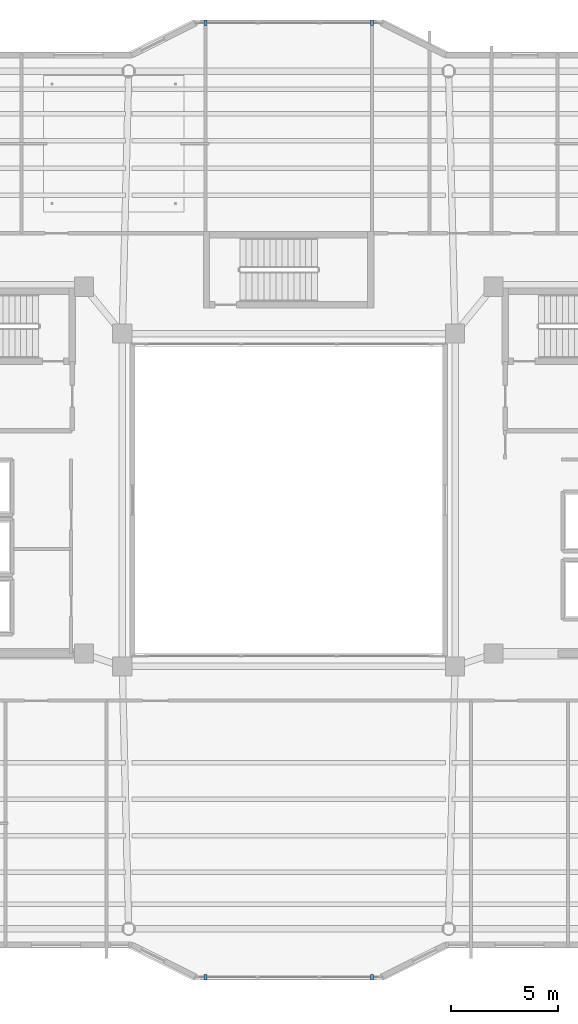
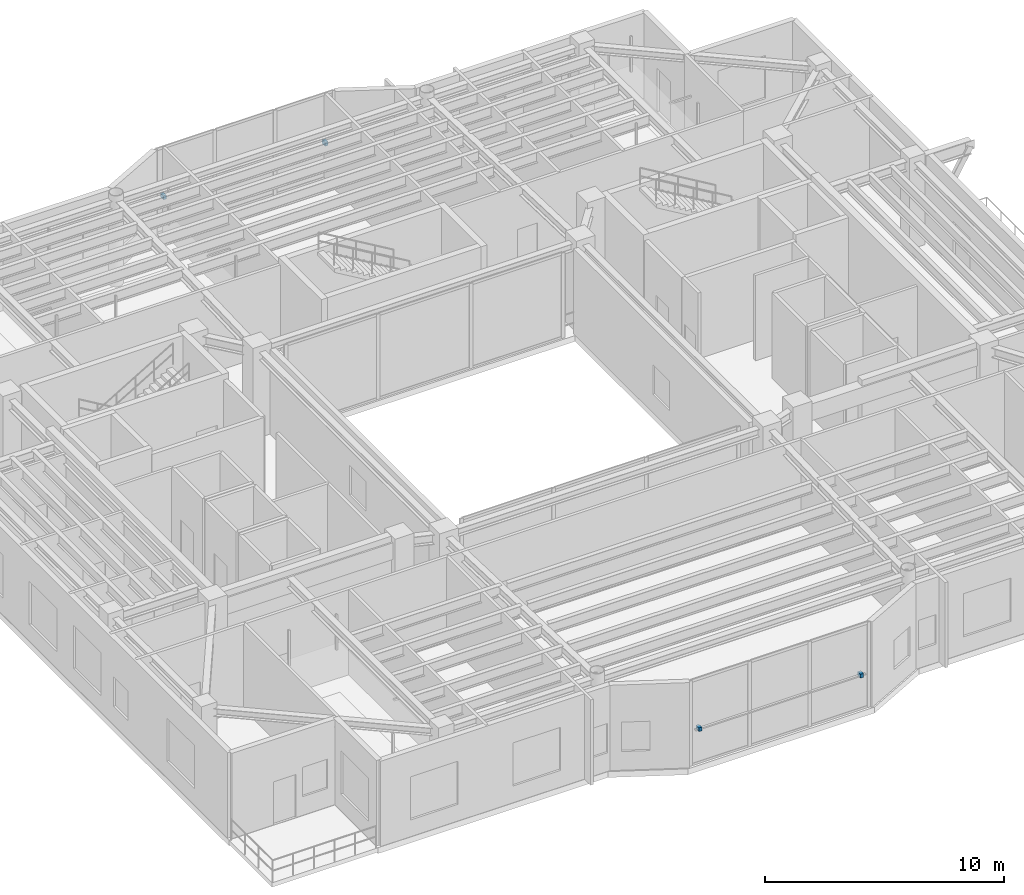
# One storey, part 19 of 23: 4 discrete accessories.
"""IFC4 building model written with IfcOpenShell, lengths in metres."""

from ifc_helpers import new_model, si_unit, direction, frame, origin, origin_2d, place, context, subcontext, project, spatial, rectangle, extrude, material, type_object, element, save


model = new_model("IFC4")

# Units and contexts
model_context = context("Model", 3, precision=1e-05, world=origin(), true_north=direction((0.0, 1.0)))
body_context = subcontext(model_context, "Body", "Model", "MODEL_VIEW")
ifc_project = project(units=[si_unit("LENGTHUNIT", "METRE"), si_unit("AREAUNIT", "SQUARE_METRE"), si_unit("VOLUMEUNIT", "CUBIC_METRE"), si_unit("PLANEANGLEUNIT", "RADIAN"), si_unit("MASSUNIT", "GRAM", prefix="KILO")], contexts=[model_context])

# Site, building, storey
site_placement = place(None, origin())
site = spatial("IfcSite", under=ifc_project, at=site_placement, CompositionType="ELEMENT")
building_placement = place(site_placement, origin())
building = spatial("IfcBuilding", under=site, at=building_placement, Name="Tarnavaz Court Tower", CompositionType="ELEMENT")
storey_placement = place(building_placement, frame((0.0, 0.0, 227.10009765625)))
storey = spatial("IfcBuildingStorey", under=building, at=storey_placement, Name="L62", CompositionType="ELEMENT", Elevation=227.10009765625)

# Discrete accessories
ifc_material = material(Name="Anodised Aluminium 6063-T6", Category="aluminium")
discrete_accessory_type = type_object("IfcDiscreteAccessoryType", Name="DA-BRKT-ALU", PredefinedType="BRACKET", material=ifc_material)
for number, where, z_axis, x_axis, name in (
    (1, (-3.89990234375, 22.3701171875, 1.69970703125), (0.0, 0.0, 1.0), (1.0, 0.0, 0.0), "L62 Baguette Outrigger Bracket PBG7-1"),
    (2, (3.89990234375, 22.3701171875, 1.69970703125), (0.0, 0.0, 1.0), (1.0, 0.0, 0.0), "L62 Baguette Outrigger Bracket PBG7-2"),
    (3, (3.89990234375, -22.3701171875, 1.69970703125), (0.0, 0.0, 1.0), (-1.0, 0.0, 0.0), "L62 Baguette Outrigger Bracket PBG17-1"),
    (4, (-3.89990234375, -22.3701171875, 1.69970703125), (0.0, 0.0, 1.0), (-1.0, 0.0, 0.0), "L62 Baguette Outrigger Bracket PBG17-2"),
):
    element("IfcDiscreteAccessory", number, at=place(storey_placement, frame(where, z_axis=z_axis, x_axis=x_axis)), inside=storey, type_object=discrete_accessory_type, Name=name, PredefinedType="BRACKET", context=body_context, shape_type="SweptSolid", body=[
        extrude(rectangle(XDim=0.139892578125, YDim=0.239990234375, at=origin_2d()), origin(), (0.0, 0.0, 1.0), 0.199951171875),
    ])

save(model, "model.ifc")
